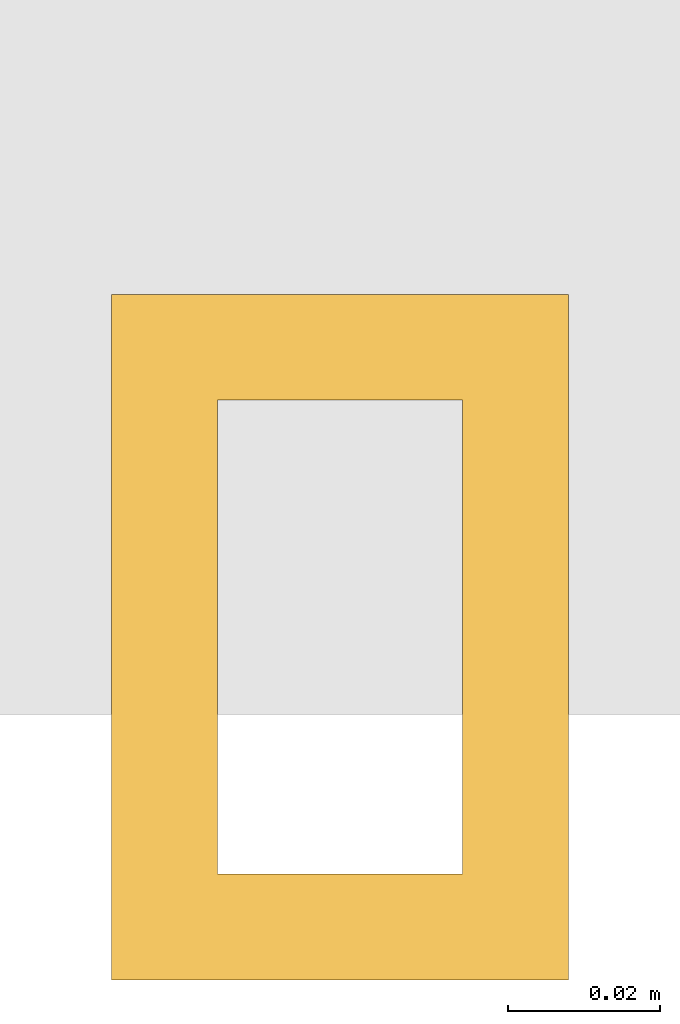
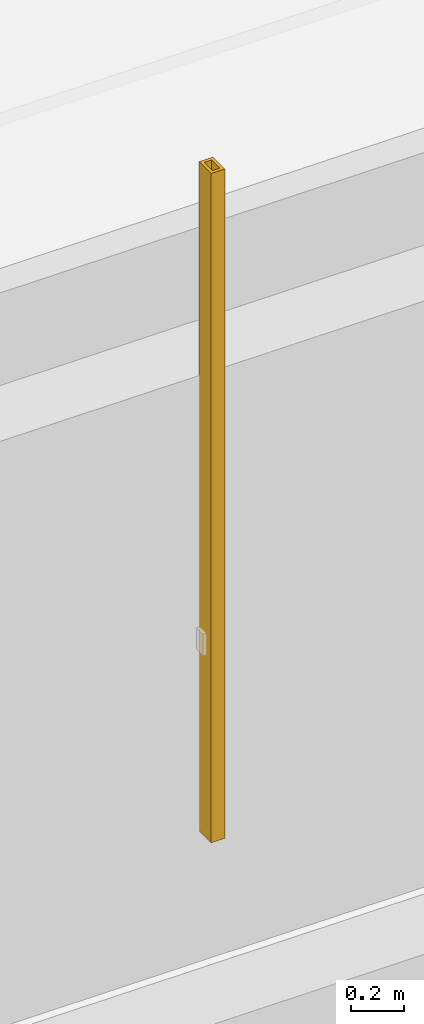
# One storey, part 18 of 28: 1 shading device.
"""IFC4 building model written with IfcOpenShell, lengths in metres."""

from ifc_helpers import new_model, si_unit, direction, frame, origin, origin_2d, place, context, subcontext, project, spatial, hollow_rectangle, extrude, material, material_profile, profile_set, type_object, element, save


model = new_model("IFC4")

# Units and contexts
model_context = context("Model", 3, precision=1e-05, world=origin(), true_north=direction((0.0, 1.0)))
body_context = subcontext(model_context, "Body", "Model", "MODEL_VIEW")
ifc_project = project(units=[si_unit("LENGTHUNIT", "METRE"), si_unit("AREAUNIT", "SQUARE_METRE"), si_unit("VOLUMEUNIT", "CUBIC_METRE"), si_unit("PLANEANGLEUNIT", "RADIAN"), si_unit("MASSUNIT", "GRAM", prefix="KILO")], contexts=[model_context])

# Site, building, storey
site_placement = place(None, origin())
site = spatial("IfcSite", under=ifc_project, at=site_placement, CompositionType="ELEMENT")
building_placement = place(site_placement, origin())
building = spatial("IfcBuilding", under=site, at=building_placement, Name="Punatoya Terracotta Tower", CompositionType="ELEMENT")
storey_placement = place(building_placement, frame((0.0, 0.0, 317.39990234375)))
storey = spatial("IfcBuildingStorey", under=building, at=storey_placement, Name="L75", CompositionType="ELEMENT", Elevation=317.39990234375)

# Shading device
ifc_material = material(Name="Architectural Fired Terracotta", Category="masonry")
ifc_material_profile = material_profile(ifc_material, hollow_rectangle(XDim=0.06005859375, YDim=0.090087890625, WallThickness=0.013916015625, at=origin_2d()))
ifc_profile_set = profile_set([ifc_material_profile], Name="Architectural Fired Terracotta")
shading_device_type = type_object("IfcShadingDeviceType", Name="SHD-JALI-90", PredefinedType="JALOUSIE", material=ifc_profile_set)
shading_device_placement = place(storey_placement, frame((-12.493408203125, -23.449951171875, 0.60009765625), z_axis=(0.0, 0.0, 1.0), x_axis=(1.0, 0.0, 0.0)))
element("IfcShadingDevice", 1, at=shading_device_placement, inside=storey, type_object=shading_device_type, Name="L75 Braced Bay Terracotta Jali Fin S1", PredefinedType="JALOUSIE", context=body_context, shape_type="SweptSolid", body=[
    extrude(hollow_rectangle(XDim=0.06005859375, YDim=0.090087890625, WallThickness=0.013916015625, at=origin_2d()), origin(), (0.0, 0.0, 1.0), 3.10009765625),
])

save(model, "model.ifc")
